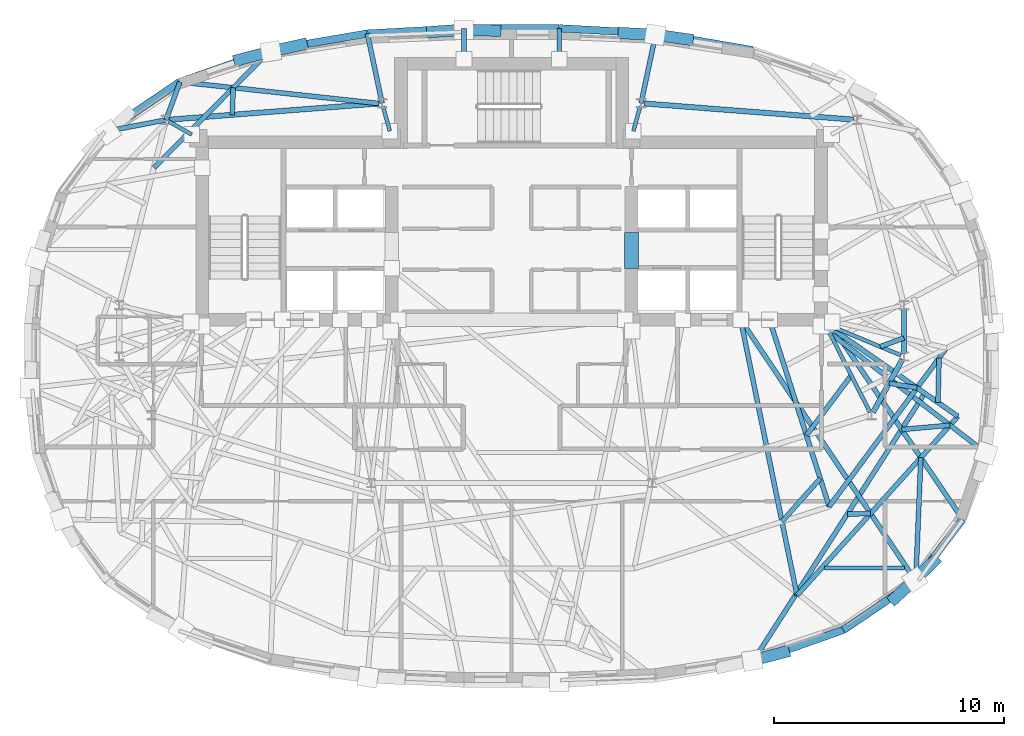
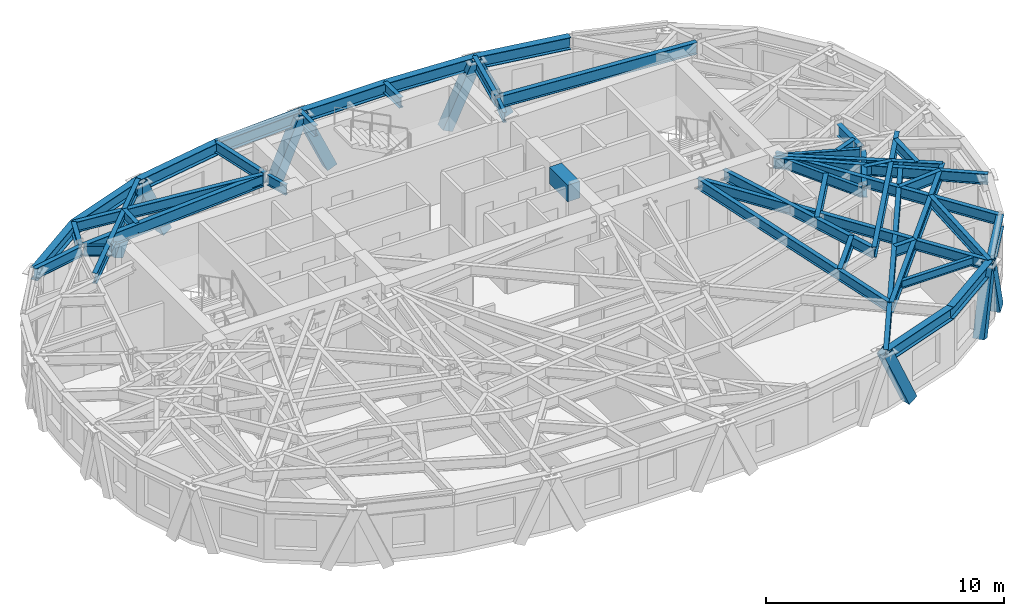
# One storey, part 3 of 12: 47 beams, 9 members.
"""IFC4 building model written with IfcOpenShell, lengths in metres."""

from ifc_helpers import new_model, si_unit, direction, frame, origin, origin_2d, place, context, subcontext, project, spatial, rectangle, hollow_rectangle, i_section, extrude, material, material_profile, profile_set, type_object, element, save


model = new_model("IFC4")

# Units and contexts
model_context = context("Model", 3, precision=1e-05, world=origin(), true_north=direction((0.0, 1.0)))
body_context = subcontext(model_context, "Body", "Model", "MODEL_VIEW")
ifc_project = project(units=[si_unit("LENGTHUNIT", "METRE"), si_unit("AREAUNIT", "SQUARE_METRE"), si_unit("VOLUMEUNIT", "CUBIC_METRE"), si_unit("PLANEANGLEUNIT", "RADIAN"), si_unit("MASSUNIT", "GRAM", prefix="KILO")], contexts=[model_context])

# Site, building, storey
site_placement = place(None, origin())
site = spatial("IfcSite", under=ifc_project, at=site_placement, CompositionType="ELEMENT")
building_placement = place(site_placement, origin())
building = spatial("IfcBuilding", under=site, at=building_placement, Name="Keldmark Tower", CompositionType="ELEMENT")
storey_placement = place(building_placement, frame((0.0, 0.0, 250.949951171875)))
storey = spatial("IfcBuildingStorey", under=building, at=storey_placement, Name="L71", CompositionType="ELEMENT", Elevation=250.949951171875)

# Beams
ifc_material_1 = material(Name="Steel ASTM A992 Grade 50", Category="steel")
ifc_material_profile_1 = material_profile(ifc_material_1, i_section(OverallWidth=0.177978515625, OverallDepth=0.403076171875, WebThickness=0.007568359375, FlangeThickness=0.010986328125, at=origin_2d()), Name="W16X36")
ifc_profile_set_1 = profile_set([ifc_material_profile_1], Name="Steel ASTM A992 Grade 50")
beam_type_1 = type_object("IfcBeamType", Name="Composite Floor Joist W16X36", PredefinedType="JOIST", material=ifc_profile_set_1)
beam_1_placement = place(storey_placement, frame((13.5859375, -9.199951171875, 2.7685546875), z_axis=(1.0, 0.0, 0.0), x_axis=(0.0, 1.0, 0.0)))
element("IfcBeam", 1, at=beam_1_placement, inside=storey, type_object=beam_type_1, Name="L71 Composite Floor Joist J02", PredefinedType="JOIST", context=body_context, shape_type="SweptSolid", body=[
    extrude(i_section(OverallWidth=0.177978515625, OverallDepth=0.403076171875, WebThickness=0.007568359375, FlangeThickness=0.010986328125, at=origin_2d()), origin(), (0.0, 0.0, 1.0), 3.46044921875),
])
ifc_material_2 = material(Name="Concrete C50/60", Category="concrete")
ifc_material_profile_2 = material_profile(ifc_material_2, rectangle(XDim=0.60009765625, YDim=0.85009765625, at=origin_2d()), Name="RCB600X850")
ifc_profile_set_2 = profile_set([ifc_material_profile_2], Name="Concrete C50/60")
beam_type_2 = type_object("IfcBeamType", Name="Core Coupling Beam RCB600X850", PredefinedType="USERDEFINED", material=ifc_profile_set_2)
beam_2_placement = place(storey_placement, frame((5.199951171875, 3.800048828125, 2.545166015625), z_axis=(0.0, 1.0, 0.0), x_axis=(-1.0, 0.0, 0.0)))
element("IfcBeam", 2, at=beam_2_placement, inside=storey, type_object=beam_type_2, Name="L71 East Core Coupling Beam", ObjectType="COUPLING BEAM", PredefinedType="USERDEFINED", context=body_context, shape_type="SweptSolid", body=[
    extrude(rectangle(XDim=0.60009765625, YDim=0.85009765625, at=origin_2d()), origin(), (0.0, 0.0, 1.0), 1.550048828125),
])

# Members
ifc_material_3 = material(Name="Steel ASTM A572 Grade 50", Category="steel")
ifc_material_profile_3 = material_profile(ifc_material_3, hollow_rectangle(XDim=0.5, YDim=0.5, WallThickness=0.030029296875, at=origin_2d()), Name="BOX500X500X30")
ifc_profile_set_3 = profile_set([ifc_material_profile_3], Name="Steel ASTM A572 Grade 50")
member_type = type_object("IfcMemberType", Name="Diagrid Upper Brace BOX500X500X30", PredefinedType="BRACE", material=ifc_profile_set_3)
member_1_placement = place(storey_placement, frame((7.65869140625, 13.73681640625, -0.260009765625), z_axis=(-0.416240962231, 0.058974592185, 0.907339770338), x_axis=(-0.140282736154, -0.99011148561, 0.0)))
element("IfcMember", 3, at=member_1_placement, inside=storey, type_object=member_type, Name="L71 Perimeter Diagrid Brace 03B", PredefinedType="BRACE", context=body_context, shape_type="SweptSolid", body=[
    extrude(hollow_rectangle(XDim=0.5, YDim=0.5, WallThickness=0.030029296875, at=origin_2d()), origin(), (0.0, 0.0, 1.0), 3.427734375),
])
member_2_placement = place(storey_placement, frame((4.847412109375, 14.007080078125, -0.260009765625), z_axis=(0.409286152757, -0.021266267909, 0.912158205034), x_axis=(0.051889414374, 0.998652836914, 0.0)))
element("IfcMember", 4, at=member_2_placement, inside=storey, type_object=member_type, Name="L71 Perimeter Diagrid Brace 04A", PredefinedType="BRACE", context=body_context, shape_type="SweptSolid", body=[
    extrude(hollow_rectangle(XDim=0.5, YDim=0.5, WallThickness=0.030029296875, at=origin_2d()), origin(), (0.0, 0.0, 1.0), 3.40966796875),
])
member_3_placement = place(storey_placement, frame((-0.6923828125, 14.1171875, -0.260009765625), z_axis=(-0.405281794014, 0.012342150951, 0.914108493971), x_axis=(-0.030439146415, -0.999536621823, 0.0)))
element("IfcMember", 5, at=member_3_placement, inside=storey, type_object=member_type, Name="L71 Perimeter Diagrid Brace 04B", PredefinedType="BRACE", context=body_context, shape_type="SweptSolid", body=[
    extrude(hollow_rectangle(XDim=0.5, YDim=0.5, WallThickness=0.030029296875, at=origin_2d()), origin(), (0.0, 0.0, 1.0), 3.40234375),
])
member_4_placement = place(storey_placement, frame((-3.4560546875, 14.06103515625, -0.260009765625), z_axis=(0.409447533875, 0.02877585815, 0.911879743712), x_axis=(-0.07010679643, 0.997539491496, 0.0)))
element("IfcMember", 6, at=member_4_placement, inside=storey, type_object=member_type, Name="L71 Perimeter Diagrid Brace 05A", PredefinedType="BRACE", context=body_context, shape_type="SweptSolid", body=[
    extrude(hollow_rectangle(XDim=0.5, YDim=0.5, WallThickness=0.030029296875, at=origin_2d()), origin(), (0.0, 0.0, 1.0), 3.41064453125),
])
member_5_placement = place(storey_placement, frame((-9.089111328125, 13.513671875, -0.260009765625), z_axis=(-0.398098379562, -0.088091989284, 0.913103215203), x_axis=(0.216055518034, -0.97638107987, 0.0)))
element("IfcMember", 7, at=member_5_placement, inside=storey, type_object=member_type, Name="L71 Perimeter Diagrid Brace 05B", PredefinedType="BRACE", context=body_context, shape_type="SweptSolid", body=[
    extrude(hollow_rectangle(XDim=0.5, YDim=0.5, WallThickness=0.030029296875, at=origin_2d()), origin(), (0.0, 0.0, 1.0), 3.406005859375),
])
for number, where, z_axis, x_axis, name in (
    (8, (-11.833740234375, 12.85107421875, -0.260009765625), (0.408036587301, 0.106973485211, 0.906676798471), (-0.253596228194, 0.967310163829, 0.0), "L71 Perimeter Diagrid Brace 06A"),
    (9, (11.833740234375, -12.85107421875, -0.260009765625), (-0.408036587301, -0.106973485211, 0.906676798471), (0.253596228194, -0.967310163829, 0.0), "L71 Perimeter Diagrid Brace 14A"),
):
    element("IfcMember", number, at=place(storey_placement, frame(where, z_axis=z_axis, x_axis=x_axis)), inside=storey, type_object=member_type, Name=name, PredefinedType="BRACE", context=body_context, shape_type="SweptSolid", body=[
        extrude(hollow_rectangle(XDim=0.5, YDim=0.5, WallThickness=0.030029296875, at=origin_2d()), origin(), (0.0, 0.0, 1.0), 3.43017578125),
    ])
member_6_placement = place(storey_placement, frame((16.612548828125, -10.525390625, -0.260009765625), z_axis=(0.26582714365, 0.244010429575, 0.932627921498), x_axis=(-0.676229778766, 0.736690767086, 0.0)))
element("IfcMember", 10, at=member_6_placement, inside=storey, type_object=member_type, Name="L71 Perimeter Diagrid Brace 14B", PredefinedType="BRACE", context=body_context, shape_type="SweptSolid", body=[
    extrude(hollow_rectangle(XDim=0.5, YDim=0.5, WallThickness=0.030029296875, at=origin_2d()), origin(), (0.0, 0.0, 1.0), 3.334716796875),
])
member_7_placement = place(storey_placement, frame((18.32421875, -8.91015625, -0.260009765625), z_axis=(-0.251042980885, -0.243910242412, 0.936741808288), x_axis=(0.69684435686, -0.717222379958, 0.0)))
element("IfcMember", 11, at=member_7_placement, inside=storey, type_object=member_type, Name="L71 Perimeter Diagrid Brace 15A", PredefinedType="BRACE", context=body_context, shape_type="SweptSolid", body=[
    extrude(hollow_rectangle(XDim=0.5, YDim=0.5, WallThickness=0.030029296875, at=origin_2d()), origin(), (0.0, 0.0, 1.0), 3.320068359375),
])

# Beams
ifc_material_4 = material(Name="Steel ASTM A992 Grade 50", Category="steel")
ifc_material_profile_4 = material_profile(ifc_material_4, i_section(OverallWidth=0.22802734375, OverallDepth=0.60302734375, WebThickness=0.010498046875, FlangeThickness=0.014892578125, at=origin_2d()), Name="W24X68")
ifc_profile_set_4 = profile_set([ifc_material_profile_4], Name="Steel ASTM A992 Grade 50")
beam_type_3 = type_object("IfcBeamType", Name="Primary Floor Girder W24X68", PredefinedType="BEAM", material=ifc_profile_set_4)
for number, where, z_axis, x_axis, name in (
    (12, (14.856201171875, 10.25439453125, 2.66845703125), (-0.997037147832, 0.076921556421, 0.0), (-0.076921556421, -0.997037147832, 0.0), "L71 Floor Ring Girder FG-R02"),
    (13, (-5.75830078125, 10.956298828125, 2.66845703125), (-0.997037147832, -0.076921556421, 0.0), (0.076921556421, -0.997037147832, 0.0), "L71 Floor Ring Girder FG-R04"),
):
    element("IfcBeam", number, at=place(storey_placement, frame(where, z_axis=z_axis, x_axis=x_axis)), inside=storey, type_object=beam_type_3, Name=name, PredefinedType="BEAM", context=body_context, shape_type="SweptSolid", body=[
        extrude(i_section(OverallWidth=0.22802734375, OverallDepth=0.60302734375, WebThickness=0.010498046875, FlangeThickness=0.014892578125, at=origin_2d()), origin(), (0.0, 0.0, 1.0), 9.125),
    ])
beam_3_placement = place(storey_placement, frame((15.68408203125, -2.44482421875, 2.66845703125), z_axis=(0.484719680408, 0.874669555561, 0.0), x_axis=(-0.874669555561, 0.484719680408, 0.0)))
element("IfcBeam", 14, at=beam_3_placement, inside=storey, type_object=beam_type_3, Name="L71 Floor Ring Girder FG-R11", PredefinedType="BEAM", context=body_context, shape_type="SweptSolid", body=[
    extrude(i_section(OverallWidth=0.22802734375, OverallDepth=0.60302734375, WebThickness=0.010498046875, FlangeThickness=0.014892578125, at=origin_2d()), origin(), (0.0, 0.0, 1.0), 2.627685546875),
])
beam_4_placement = place(storey_placement, frame((17.025634765625, 0.115966796875, 2.66845703125), z_axis=(0.0, 1.0, 0.0), x_axis=(-1.0, 0.0, 0.0)))
element("IfcBeam", 15, at=beam_4_placement, inside=storey, type_object=beam_type_3, Name="L71 Floor Ring Girder FG-R12", PredefinedType="BEAM", context=body_context, shape_type="SweptSolid", body=[
    extrude(i_section(OverallWidth=0.22802734375, OverallDepth=0.60302734375, WebThickness=0.010498046875, FlangeThickness=0.014892578125, at=origin_2d()), origin(), (0.0, 0.0, 1.0), 1.9521484375),
])
ifc_material_5 = material(Name="Steel ASTM A992 Grade 50", Category="steel")
ifc_material_profile_5 = material_profile(ifc_material_5, i_section(OverallWidth=0.166015625, OverallDepth=0.529052734375, WebThickness=0.009765625, FlangeThickness=0.013671875, at=origin_2d()), Name="W21X50")
ifc_profile_set_5 = profile_set([ifc_material_profile_5], Name="Steel ASTM A992 Grade 50")
beam_type_4 = type_object("IfcBeamType", Name="Radial Tie Girder W21X50", PredefinedType="BEAM", material=ifc_profile_set_5)
for number, where, z_axis, x_axis, name in (
    (16, (5.581298828125, 10.83203125, 2.70556640625), (-0.265936023434, -0.963990680163, 0.0), (0.963990680163, -0.265936023434, 0.0), "L71 Floor Radial Girder FG-C03"),
    (17, (-5.581298828125, 10.83203125, 2.70556640625), (0.265936023434, -0.963990680163, 0.0), (0.963990680163, 0.265936023434, 0.0), "L71 Floor Radial Girder FG-C04"),
):
    element("IfcBeam", number, at=place(storey_placement, frame(where, z_axis=z_axis, x_axis=x_axis)), inside=storey, type_object=beam_type_4, Name=name, PredefinedType="BEAM", context=body_context, shape_type="SweptSolid", body=[
        extrude(i_section(OverallWidth=0.166015625, OverallDepth=0.529052734375, WebThickness=0.009765625, FlangeThickness=0.013671875, at=origin_2d()), origin(), (0.0, 0.0, 1.0), 1.113525390625),
    ])
beam_5_placement = place(storey_placement, frame((-14.8740234375, 10.174560546875, 2.70556640625), z_axis=(0.869238046195, -0.494393789451, 0.0), x_axis=(0.494393789451, 0.869238046195, 0.0)))
element("IfcBeam", 18, at=beam_5_placement, inside=storey, type_object=beam_type_4, Name="L71 Floor Radial Girder FG-C05", PredefinedType="BEAM", context=body_context, shape_type="SweptSolid", body=[
    extrude(i_section(OverallWidth=0.166015625, OverallDepth=0.529052734375, WebThickness=0.009765625, FlangeThickness=0.013671875, at=origin_2d()), origin(), (0.0, 0.0, 1.0), 1.145751953125),
])
beam_6_placement = place(storey_placement, frame((15.552734375, -2.442626953125, 2.70556640625), z_axis=(-0.453004410574, 0.89150827478, 0.0), x_axis=(-0.89150827478, -0.453004410574, 0.0)))
element("IfcBeam", 19, at=beam_6_placement, inside=storey, type_object=beam_type_4, Name="L71 Floor Radial Girder FG-C11", PredefinedType="BEAM", context=body_context, shape_type="SweptSolid", body=[
    extrude(i_section(OverallWidth=0.166015625, OverallDepth=0.529052734375, WebThickness=0.009765625, FlangeThickness=0.013671875, at=origin_2d()), origin(), (0.0, 0.0, 1.0), 3.990234375),
])
beam_7_placement = place(storey_placement, frame((16.896240234375, 0.02978515625, 2.70556640625), z_axis=(-0.923403331902, 0.383831065226, 0.0), x_axis=(-0.383831065226, -0.923403331902, 0.0)))
element("IfcBeam", 20, at=beam_7_placement, inside=storey, type_object=beam_type_4, Name="L71 Floor Radial Girder FG-C12", PredefinedType="BEAM", context=body_context, shape_type="SweptSolid", body=[
    extrude(i_section(OverallWidth=0.166015625, OverallDepth=0.529052734375, WebThickness=0.009765625, FlangeThickness=0.013671875, at=origin_2d()), origin(), (0.0, 0.0, 1.0), 3.249755859375),
])
ifc_material_6 = material(Name="Steel ASTM A992 Grade 50", Category="steel")
ifc_material_profile_6 = material_profile(ifc_material_6, i_section(OverallWidth=0.2099609375, OverallDepth=0.537109375, WebThickness=0.010986328125, FlangeThickness=0.017333984375, at=origin_2d()), Name="W21X68")
ifc_profile_set_6 = profile_set([ifc_material_profile_6], Name="Steel ASTM A992 Grade 50")
beam_type_5 = type_object("IfcBeamType", Name="Radial Tie Girder W21X68", PredefinedType="BEAM", material=ifc_profile_set_6)
for number, where, z_axis, x_axis, name in (
    (21, (2.0654296875, 12.8798828125, 2.70166015625), (0.0, 1.0, 0.0), (-1.0, 0.0, 0.0), "L71 North Core Wall Bracket RT-08N"),
    (22, (-2.0654296875, 12.8798828125, 2.70166015625), (0.0, 1.0, 0.0), (-1.0, 0.0, 0.0), "L71 North Core Wall Bracket RT-09N"),
):
    element("IfcBeam", number, at=place(storey_placement, frame(where, z_axis=z_axis, x_axis=x_axis)), inside=storey, type_object=beam_type_5, Name=name, PredefinedType="BEAM", context=body_context, shape_type="SweptSolid", body=[
        extrude(i_section(OverallWidth=0.2099609375, OverallDepth=0.537109375, WebThickness=0.010986328125, FlangeThickness=0.017333984375, at=origin_2d()), origin(), (0.0, 0.0, 1.0), 1.3388671875),
    ])
beam_8_placement = place(storey_placement, frame((14.7392578125, -0.841796875, 2.70166015625), z_axis=(-0.599410203907, -0.800442007551, 0.0), x_axis=(0.800442007551, -0.599410203907, 0.0)))
element("IfcBeam", 23, at=beam_8_placement, inside=storey, type_object=beam_type_5, Name="L71 Framing Pin Header PH-005", PredefinedType="BEAM", context=body_context, shape_type="SweptSolid", body=[
    extrude(i_section(OverallWidth=0.2099609375, OverallDepth=0.537109375, WebThickness=0.010986328125, FlangeThickness=0.017333984375, at=origin_2d()), origin(), (0.0, 0.0, 1.0), 3.24609375),
])
beam_9_placement = place(storey_placement, frame((11.19287109375, 1.574951171875, 2.70166015625), z_axis=(0.304029653718, -0.952662568625, 0.0), x_axis=(0.952662568625, 0.304029653718, 0.0)))
element("IfcBeam", 24, at=beam_9_placement, inside=storey, type_object=beam_type_5, Name="L71 Sub-Ring Step Girder STP1-M11", PredefinedType="BEAM", context=body_context, shape_type="SweptSolid", body=[
    extrude(i_section(OverallWidth=0.2099609375, OverallDepth=0.537109375, WebThickness=0.010986328125, FlangeThickness=0.017333984375, at=origin_2d()), origin(), (0.0, 0.0, 1.0), 8.514404296875),
])
beam_10_placement = place(storey_placement, frame((15.99609375, 0.40380859375, 2.70166015625), z_axis=(0.938388699183, 0.345581610109, 0.0), x_axis=(-0.345581610109, 0.938388699183, 0.0)))
element("IfcBeam", 25, at=beam_10_placement, inside=storey, type_object=beam_type_5, Name="L71 Framing Pin Header PH-006", PredefinedType="BEAM", context=body_context, shape_type="SweptSolid", body=[
    extrude(i_section(OverallWidth=0.2099609375, OverallDepth=0.537109375, WebThickness=0.010986328125, FlangeThickness=0.017333984375, at=origin_2d()), origin(), (0.0, 0.0, 1.0), 1.09716796875),
])
beam_11_placement = place(storey_placement, frame((13.781494140625, -6.536376953125, 2.70166015625), z_axis=(0.594765583007, 0.803899186011, 0.0), x_axis=(-0.803899186011, 0.594765583007, 0.0)))
element("IfcBeam", 26, at=beam_11_placement, inside=storey, type_object=beam_type_5, Name="L71 Perimeter Collector Ring Beam CRG1-M11", PredefinedType="BEAM", context=body_context, shape_type="SweptSolid", body=[
    extrude(i_section(OverallWidth=0.2099609375, OverallDepth=0.537109375, WebThickness=0.010986328125, FlangeThickness=0.017333984375, at=origin_2d()), origin(), (0.0, 0.0, 1.0), 8.55810546875),
])
beam_12_placement = place(storey_placement, frame((13.393310546875, -5.319580078125, 2.70166015625), z_axis=(-0.664800119359, -0.747021285708, 0.0), x_axis=(0.747021285708, -0.664800119359, 0.0)))
element("IfcBeam", 27, at=beam_12_placement, inside=storey, type_object=beam_type_5, Name="L71 Framing Pin Header PH-010", PredefinedType="BEAM", context=body_context, shape_type="SweptSolid", body=[
    extrude(i_section(OverallWidth=0.2099609375, OverallDepth=0.537109375, WebThickness=0.010986328125, FlangeThickness=0.017333984375, at=origin_2d()), origin(), (0.0, 0.0, 1.0), 2.500244140625),
])
beam_13_placement = place(storey_placement, frame((9.939208984375, 1.574951171875, 2.70166015625), z_axis=(0.20038184412, -0.979717875996, 0.0), x_axis=(0.979717875996, 0.20038184412, 0.0)))
element("IfcBeam", 28, at=beam_13_placement, inside=storey, type_object=beam_type_5, Name="L71 Sub-Ring Step Girder STP2-M11", PredefinedType="BEAM", context=body_context, shape_type="SweptSolid", body=[
    extrude(i_section(OverallWidth=0.2099609375, OverallDepth=0.537109375, WebThickness=0.010986328125, FlangeThickness=0.017333984375, at=origin_2d()), origin(), (0.0, 0.0, 1.0), 12.2119140625),
])
beam_14_placement = place(storey_placement, frame((16.384521484375, -1.180908203125, 2.70166015625), z_axis=(0.986068983052, -0.16633688906, 0.0), x_axis=(0.16633688906, 0.986068983052, 0.0)))
element("IfcBeam", 29, at=beam_14_placement, inside=storey, type_object=beam_type_5, Name="L71 Framing Pin Header PH-011", PredefinedType="BEAM", context=body_context, shape_type="SweptSolid", body=[
    extrude(i_section(OverallWidth=0.2099609375, OverallDepth=0.537109375, WebThickness=0.010986328125, FlangeThickness=0.017333984375, at=origin_2d()), origin(), (0.0, 0.0, 1.0), 1.2255859375),
])
beam_15_placement = place(storey_placement, frame((13.60009765625, 1.39990234375, 2.70166015625), z_axis=(0.82025007678, -0.572005079998, 0.0), x_axis=(0.572005079998, 0.82025007678, 0.0)))
element("IfcBeam", 30, at=beam_15_placement, inside=storey, type_object=beam_type_5, Name="L71 Sub-Ring Step Girder STP2-M12", PredefinedType="BEAM", context=body_context, shape_type="SweptSolid", body=[
    extrude(i_section(OverallWidth=0.2099609375, OverallDepth=0.537109375, WebThickness=0.010986328125, FlangeThickness=0.017333984375, at=origin_2d()), origin(), (0.0, 0.0, 1.0), 7.03173828125),
])
beam_16_placement = place(storey_placement, frame((12.38623046875, -10.38916015625, 2.70166015625), z_axis=(0.668516440295, 0.743697363888, 0.0), x_axis=(-0.743697363888, 0.668516440295, 0.0)))
element("IfcBeam", 31, at=beam_16_placement, inside=storey, type_object=beam_type_5, Name="L71 Perimeter Collector Ring Beam CRG2-M11", PredefinedType="BEAM", context=body_context, shape_type="SweptSolid", body=[
    extrude(i_section(OverallWidth=0.2099609375, OverallDepth=0.537109375, WebThickness=0.010986328125, FlangeThickness=0.017333984375, at=origin_2d()), origin(), (0.0, 0.0, 1.0), 10.443603515625),
])
for number, where, z_axis, x_axis, name in (
    (32, (5.61865234375, 10.967041015625, 2.70166015625), (0.207490471214, 0.978237038941, 0.0), (-0.978237038941, 0.207490471214, 0.0), "L71 Perimeter Column Bracket RT-07"),
    (33, (-5.61865234375, 10.967041015625, 2.70166015625), (-0.207490471214, 0.978237038941, 0.0), (-0.978237038941, -0.207490471214, 0.0), "L71 Perimeter Column Bracket RT-10"),
):
    element("IfcBeam", number, at=place(storey_placement, frame(where, z_axis=z_axis, x_axis=x_axis)), inside=storey, type_object=beam_type_5, Name=name, PredefinedType="BEAM", context=body_context, shape_type="SweptSolid", body=[
        extrude(i_section(OverallWidth=0.2099609375, OverallDepth=0.537109375, WebThickness=0.010986328125, FlangeThickness=0.017333984375, at=origin_2d()), origin(), (0.0, 0.0, 1.0), 3.09228515625),
    ])
beam_17_placement = place(storey_placement, frame((-14.995849609375, 10.24365234375, 2.70166015625), z_axis=(0.344111487605, 0.938928796075, 0.0), x_axis=(-0.938928796075, 0.344111487605, 0.0)))
element("IfcBeam", 34, at=beam_17_placement, inside=storey, type_object=beam_type_5, Name="L71 Perimeter Column Bracket RT-12", PredefinedType="BEAM", context=body_context, shape_type="SweptSolid", body=[
    extrude(i_section(OverallWidth=0.2099609375, OverallDepth=0.537109375, WebThickness=0.010986328125, FlangeThickness=0.017333984375, at=origin_2d()), origin(), (0.0, 0.0, 1.0), 1.75390625),
])
beam_18_placement = place(storey_placement, frame((-14.995849609375, 10.24365234375, 2.70166015625), z_axis=(-0.982228547409, -0.187688786704, 0.0), x_axis=(0.187688786704, -0.982228547409, 0.0)))
element("IfcBeam", 35, at=beam_18_placement, inside=storey, type_object=beam_type_5, Name="L71 Perimeter Column Bracket RT-13", PredefinedType="BEAM", context=body_context, shape_type="SweptSolid", body=[
    extrude(i_section(OverallWidth=0.2099609375, OverallDepth=0.537109375, WebThickness=0.010986328125, FlangeThickness=0.017333984375, at=origin_2d()), origin(), (0.0, 0.0, 1.0), 2.587158203125),
])
beam_19_placement = place(storey_placement, frame((17.92578125, -1.61669921875, 2.70166015625), z_axis=(-0.539290959955, -0.842119504887, 0.0), x_axis=(0.842119504887, -0.539290959955, 0.0)))
element("IfcBeam", 36, at=beam_19_placement, inside=storey, type_object=beam_type_5, Name="L71 Perimeter Radial Tie Girder RT-27", PredefinedType="BEAM", context=body_context, shape_type="SweptSolid", body=[
    extrude(i_section(OverallWidth=0.2099609375, OverallDepth=0.537109375, WebThickness=0.010986328125, FlangeThickness=0.017333984375, at=origin_2d()), origin(), (0.0, 0.0, 1.0), 13.83935546875),
])
beam_20_placement = place(storey_placement, frame((14.5673828125, -6.861083984375, 2.70166015625), z_axis=(0.999726160836, 0.023400926062, 0.0), x_axis=(-0.023400926062, 0.999726160836, 0.0)))
element("IfcBeam", 37, at=beam_20_placement, inside=storey, type_object=beam_type_5, Name="L71 Framing Pin Header PH-027", PredefinedType="BEAM", context=body_context, shape_type="SweptSolid", body=[
    extrude(i_section(OverallWidth=0.2099609375, OverallDepth=0.537109375, WebThickness=0.010986328125, FlangeThickness=0.017333984375, at=origin_2d()), origin(), (0.0, 0.0, 1.0), 1.011962890625),
])
beam_21_placement = place(storey_placement, frame((9.939208984375, 1.574951171875, 2.70166015625), z_axis=(0.556857913523, -0.83060776793, 0.0), x_axis=(0.83060776793, 0.556857913523, 0.0)))
element("IfcBeam", 38, at=beam_21_placement, inside=storey, type_object=beam_type_5, Name="L71 Perimeter Radial Tie Girder RT-29", PredefinedType="BEAM", context=body_context, shape_type="SweptSolid", body=[
    extrude(i_section(OverallWidth=0.2099609375, OverallDepth=0.537109375, WebThickness=0.010986328125, FlangeThickness=0.017333984375, at=origin_2d()), origin(), (0.0, 0.0, 1.0), 13.644287109375),
])
beam_22_placement = place(storey_placement, frame((17.537109375, -9.758056640625, 2.70166015625), z_axis=(0.04126034353, 0.99914842944, 0.0), x_axis=(-0.99914842944, 0.04126034353, 0.0)))
element("IfcBeam", 39, at=beam_22_placement, inside=storey, type_object=beam_type_5, Name="L71 Framing Pin Header PH-028", PredefinedType="BEAM", context=body_context, shape_type="SweptSolid", body=[
    extrude(i_section(OverallWidth=0.2099609375, OverallDepth=0.537109375, WebThickness=0.010986328125, FlangeThickness=0.017333984375, at=origin_2d()), origin(), (0.0, 0.0, 1.0), 5.34912109375),
])
beam_23_placement = place(storey_placement, frame((13.699951171875, 1.574951171875, 2.70166015625), z_axis=(0.560952795323, -0.827847788799, 0.0), x_axis=(0.827847788799, 0.560952795323, 0.0)))
element("IfcBeam", 40, at=beam_23_placement, inside=storey, type_object=beam_type_5, Name="L71 Perimeter Radial Tie Girder RT-30", PredefinedType="BEAM", context=body_context, shape_type="SweptSolid", body=[
    extrude(i_section(OverallWidth=0.2099609375, OverallDepth=0.537109375, WebThickness=0.010986328125, FlangeThickness=0.017333984375, at=origin_2d()), origin(), (0.0, 0.0, 1.0), 10.47119140625),
])
beam_24_placement = place(storey_placement, frame((16.930419921875, -3.192626953125, 2.70166015625), z_axis=(0.995994422677, 0.089415378974, 0.0), x_axis=(-0.089415378974, 0.995994422677, 0.0)))
element("IfcBeam", 41, at=beam_24_placement, inside=storey, type_object=beam_type_5, Name="L71 Framing Pin Header PH-029", PredefinedType="BEAM", context=body_context, shape_type="SweptSolid", body=[
    extrude(i_section(OverallWidth=0.2099609375, OverallDepth=0.537109375, WebThickness=0.010986328125, FlangeThickness=0.017333984375, at=origin_2d()), origin(), (0.0, 0.0, 1.0), 2.102294921875),
])
beam_25_placement = place(storey_placement, frame((13.425048828125, 1.300048828125, 2.70166015625), z_axis=(0.792793566411, -0.609490246892, 0.0), x_axis=(0.609490246892, 0.792793566411, 0.0)))
element("IfcBeam", 42, at=beam_25_placement, inside=storey, type_object=beam_type_5, Name="L71 Perimeter Radial Tie Girder RT-31", PredefinedType="BEAM", context=body_context, shape_type="SweptSolid", body=[
    extrude(i_section(OverallWidth=0.2099609375, OverallDepth=0.537109375, WebThickness=0.010986328125, FlangeThickness=0.017333984375, at=origin_2d()), origin(), (0.0, 0.0, 1.0), 9.096923828125),
])
beam_26_placement = place(storey_placement, frame((18.502685546875, -2.01904296875, 2.70166015625), z_axis=(0.024194638618, 0.999707266885, 0.0), x_axis=(-0.999707266885, 0.024194638618, 0.0)))
element("IfcBeam", 43, at=beam_26_placement, inside=storey, type_object=beam_type_5, Name="L71 Framing Pin Header PH-030", PredefinedType="BEAM", context=body_context, shape_type="SweptSolid", body=[
    extrude(i_section(OverallWidth=0.2099609375, OverallDepth=0.537109375, WebThickness=0.010986328125, FlangeThickness=0.017333984375, at=origin_2d()), origin(), (0.0, 0.0, 1.0), 1.92724609375),
])
beam_27_placement = place(storey_placement, frame((-5.75830078125, 10.956298828125, 2.70166015625), z_axis=(-0.994198763097, 0.107558446702, 0.0), x_axis=(-0.107558446702, -0.994198763097, 0.0)))
element("IfcBeam", 44, at=beam_27_placement, inside=storey, type_object=beam_type_5, Name="L71 Straddling Support Chord RT-11RB", PredefinedType="BEAM", context=body_context, shape_type="SweptSolid", body=[
    extrude(i_section(OverallWidth=0.2099609375, OverallDepth=0.537109375, WebThickness=0.010986328125, FlangeThickness=0.017333984375, at=origin_2d()), origin(), (0.0, 0.0, 1.0), 8.684326171875),
])
beam_28_placement = place(storey_placement, frame((-12.126708984375, 10.465087890625, 2.70166015625), z_axis=(0.040905053718, 0.999163038037, 0.0), x_axis=(-0.999163038037, 0.040905053718, 0.0)))
element("IfcBeam", 45, at=beam_28_placement, inside=storey, type_object=beam_type_5, Name="L71 Framing Pin Header PH-031", PredefinedType="BEAM", context=body_context, shape_type="SweptSolid", body=[
    extrude(i_section(OverallWidth=0.2099609375, OverallDepth=0.537109375, WebThickness=0.010986328125, FlangeThickness=0.017333984375, at=origin_2d()), origin(), (0.0, 0.0, 1.0), 1.17578125),
])
beam_29_placement = place(storey_placement, frame((-15.5205078125, 8.1669921875, 2.70166015625), z_axis=(0.703905865235, 0.71029327245, 0.0), x_axis=(-0.71029327245, 0.703905865235, 0.0)))
element("IfcBeam", 46, at=beam_29_placement, inside=storey, type_object=beam_type_5, Name="L71 Perimeter Radial Tie Girder RT-11R", PredefinedType="BEAM", context=body_context, shape_type="SweptSolid", body=[
    extrude(i_section(OverallWidth=0.2099609375, OverallDepth=0.537109375, WebThickness=0.010986328125, FlangeThickness=0.017333984375, at=origin_2d()), origin(), (0.0, 0.0, 1.0), 7.185791015625),
])
ifc_material_7 = material(Name="Steel ASTM A992 Grade 50", Category="steel")
ifc_material_profile_7 = material_profile(ifc_material_7, i_section(OverallWidth=0.326904296875, OverallDepth=0.6220703125, WebThickness=0.015380859375, FlangeThickness=0.0244140625, at=origin_2d()), Name="W24X131")
ifc_profile_set_7 = profile_set([ifc_material_profile_7], Name="Steel ASTM A992 Grade 50")
beam_type_6 = type_object("IfcBeamType", Name="Spandrel Ring Beam W24X131", PredefinedType="SPANDREL", material=ifc_profile_set_7)
beam_30_placement = place(storey_placement, frame((10.46240234375, 13.27099609375, 2.658935546875), z_axis=(-0.98559963167, 0.169095730439, 0.0), x_axis=(-0.169095730439, -0.98559963167, 0.0)))
element("IfcBeam", 47, at=beam_30_placement, inside=storey, type_object=beam_type_6, Name="L71 Perimeter Spandrel Ring Beam SRB-06", PredefinedType="SPANDREL", context=body_context, shape_type="SweptSolid", body=[
    extrude(i_section(OverallWidth=0.326904296875, OverallDepth=0.6220703125, WebThickness=0.015380859375, FlangeThickness=0.0244140625, at=origin_2d()), origin(), (0.0, 0.0, 1.0), 4.263427734375),
])
beam_31_placement = place(storey_placement, frame((6.26025390625, 13.991943359375, 2.658935546875), z_axis=(-0.998541511284, 0.053989353043, 0.0), x_axis=(-0.053989353043, -0.998541511284, 0.0)))
element("IfcBeam", 48, at=beam_31_placement, inside=storey, type_object=beam_type_6, Name="L71 Perimeter Spandrel Ring Beam SRB-07", PredefinedType="SPANDREL", context=body_context, shape_type="SweptSolid", body=[
    extrude(i_section(OverallWidth=0.326904296875, OverallDepth=0.6220703125, WebThickness=0.015380859375, FlangeThickness=0.0244140625, at=origin_2d()), origin(), (0.0, 0.0, 1.0), 4.200927734375),
])
beam_32_placement = place(storey_placement, frame((2.0654296875, 14.21875, 2.658935546875), z_axis=(-1.0, 0.0, 0.0), x_axis=(0.0, -1.0, 0.0)))
element("IfcBeam", 49, at=beam_32_placement, inside=storey, type_object=beam_type_6, Name="L71 Perimeter Spandrel Ring Beam SRB-08", PredefinedType="SPANDREL", context=body_context, shape_type="SweptSolid", body=[
    extrude(i_section(OverallWidth=0.326904296875, OverallDepth=0.6220703125, WebThickness=0.015380859375, FlangeThickness=0.0244140625, at=origin_2d()), origin(), (0.0, 0.0, 1.0), 4.130859375),
])
beam_33_placement = place(storey_placement, frame((-2.0654296875, 14.21875, 2.658935546875), z_axis=(-0.998541511284, -0.053989353043, 0.0), x_axis=(0.053989353043, -0.998541511284, 0.0)))
element("IfcBeam", 50, at=beam_33_placement, inside=storey, type_object=beam_type_6, Name="L71 Perimeter Spandrel Ring Beam SRB-09", PredefinedType="SPANDREL", context=body_context, shape_type="SweptSolid", body=[
    extrude(i_section(OverallWidth=0.326904296875, OverallDepth=0.6220703125, WebThickness=0.015380859375, FlangeThickness=0.0244140625, at=origin_2d()), origin(), (0.0, 0.0, 1.0), 4.200927734375),
])
beam_34_placement = place(storey_placement, frame((-6.26025390625, 13.991943359375, 2.658935546875), z_axis=(-0.98559963167, -0.169095730439, 0.0), x_axis=(0.169095730439, -0.98559963167, 0.0)))
element("IfcBeam", 51, at=beam_34_placement, inside=storey, type_object=beam_type_6, Name="L71 Perimeter Spandrel Ring Beam SRB-10", PredefinedType="SPANDREL", context=body_context, shape_type="SweptSolid", body=[
    extrude(i_section(OverallWidth=0.326904296875, OverallDepth=0.6220703125, WebThickness=0.015380859375, FlangeThickness=0.0244140625, at=origin_2d()), origin(), (0.0, 0.0, 1.0), 4.263427734375),
])
beam_35_placement = place(storey_placement, frame((-10.46240234375, 13.27099609375, 2.658935546875), z_axis=(-0.9434730198, -0.331449333849, 0.0), x_axis=(0.331449333849, -0.9434730198, 0.0)))
element("IfcBeam", 52, at=beam_35_placement, inside=storey, type_object=beam_type_6, Name="L71 Perimeter Spandrel Ring Beam SRB-11", PredefinedType="SPANDREL", context=body_context, shape_type="SweptSolid", body=[
    extrude(i_section(OverallWidth=0.326904296875, OverallDepth=0.6220703125, WebThickness=0.015380859375, FlangeThickness=0.0244140625, at=origin_2d()), origin(), (0.0, 0.0, 1.0), 4.165283203125),
])
beam_36_placement = place(storey_placement, frame((-14.392333984375, 11.890380859375, 2.658935546875), z_axis=(-0.827675110689, -0.561207547299, 0.0), x_axis=(0.561207547299, -0.827675110689, 0.0)))
element("IfcBeam", 53, at=beam_36_placement, inside=storey, type_object=beam_type_6, Name="L71 Perimeter Spandrel Ring Beam SRB-12", PredefinedType="SPANDREL", context=body_context, shape_type="SweptSolid", body=[
    extrude(i_section(OverallWidth=0.326904296875, OverallDepth=0.6220703125, WebThickness=0.015380859375, FlangeThickness=0.0244140625, at=origin_2d()), origin(), (0.0, 0.0, 1.0), 3.799560546875),
])
beam_37_placement = place(storey_placement, frame((10.46240234375, -13.27099609375, 2.658935546875), z_axis=(0.9434730198, 0.331449333849, 0.0), x_axis=(-0.331449333849, 0.9434730198, 0.0)))
element("IfcBeam", 54, at=beam_37_placement, inside=storey, type_object=beam_type_6, Name="L71 Perimeter Spandrel Ring Beam SRB-27", PredefinedType="SPANDREL", context=body_context, shape_type="SweptSolid", body=[
    extrude(i_section(OverallWidth=0.326904296875, OverallDepth=0.6220703125, WebThickness=0.015380859375, FlangeThickness=0.0244140625, at=origin_2d()), origin(), (0.0, 0.0, 1.0), 4.165283203125),
])
beam_38_placement = place(storey_placement, frame((14.392333984375, -11.890380859375, 2.658935546875), z_axis=(0.827675110689, 0.561207547299, 0.0), x_axis=(-0.561207547299, 0.827675110689, 0.0)))
element("IfcBeam", 55, at=beam_38_placement, inside=storey, type_object=beam_type_6, Name="L71 Perimeter Spandrel Ring Beam SRB-28", PredefinedType="SPANDREL", context=body_context, shape_type="SweptSolid", body=[
    extrude(i_section(OverallWidth=0.326904296875, OverallDepth=0.6220703125, WebThickness=0.015380859375, FlangeThickness=0.0244140625, at=origin_2d()), origin(), (0.0, 0.0, 1.0), 3.799560546875),
])
beam_39_placement = place(storey_placement, frame((17.537109375, -9.758056640625, 2.658935546875), z_axis=(0.607266352304, 0.794498318034, 0.0), x_axis=(-0.794498318034, 0.607266352304, 0.0)))
element("IfcBeam", 56, at=beam_39_placement, inside=storey, type_object=beam_type_6, Name="L71 Perimeter Spandrel Ring Beam SRB-29", PredefinedType="SPANDREL", context=body_context, shape_type="SweptSolid", body=[
    extrude(i_section(OverallWidth=0.326904296875, OverallDepth=0.6220703125, WebThickness=0.015380859375, FlangeThickness=0.0244140625, at=origin_2d()), origin(), (0.0, 0.0, 1.0), 3.353759765625),
])

save(model, "model.ifc")
